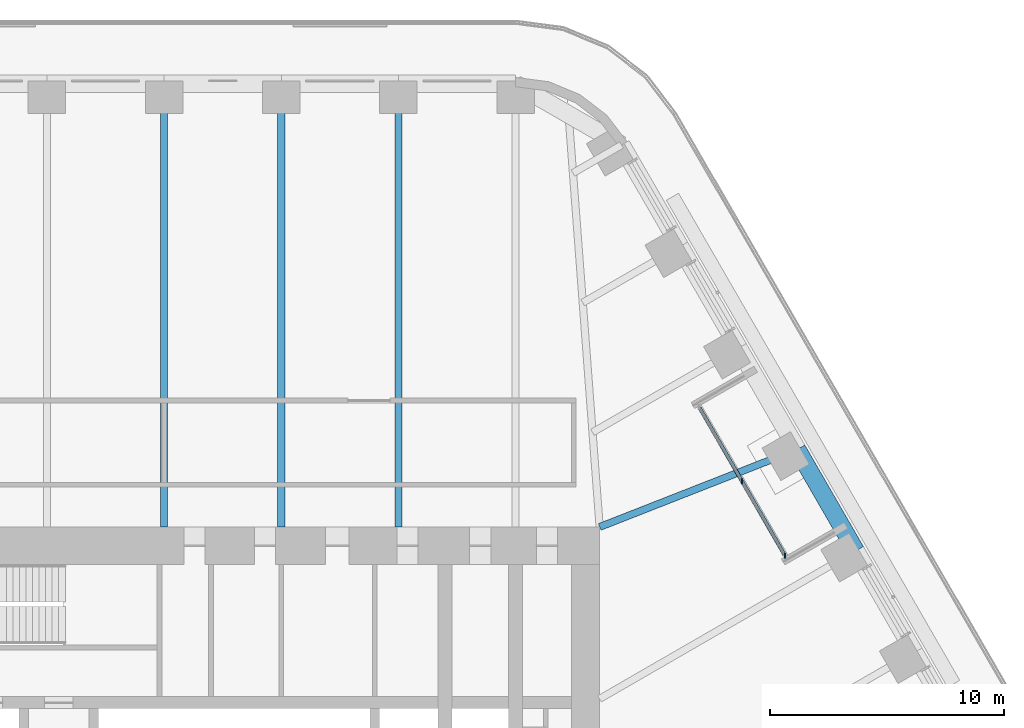
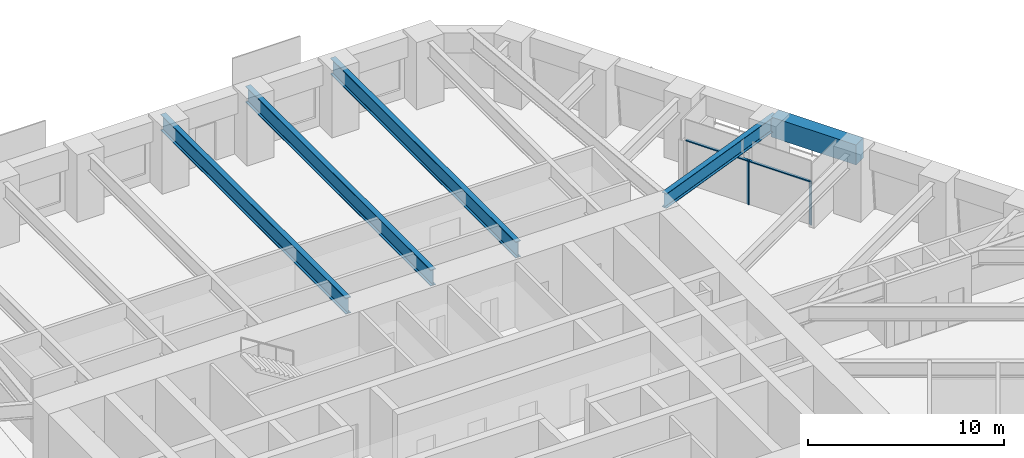
# One storey, part 11 of 24: 5 beams, 3 members, 1 element without a shape of its own.
"""IFC4 building model written with IfcOpenShell, lengths in metres."""

from ifc_helpers import new_model, si_unit, direction, frame, origin, origin_2d, place, context, subcontext, project, spatial, rectangle, i_section, extrude, material, material_profile, profile_set, type_object, element, aggregate, save


model = new_model("IFC4")

# Units and contexts
model_context = context("Model", 3, precision=1e-05, world=origin(), true_north=direction((0.0, 1.0)))
body_context = subcontext(model_context, "Body", "Model", "MODEL_VIEW")
ifc_project = project(units=[si_unit("LENGTHUNIT", "METRE"), si_unit("AREAUNIT", "SQUARE_METRE"), si_unit("VOLUMEUNIT", "CUBIC_METRE"), si_unit("PLANEANGLEUNIT", "RADIAN"), si_unit("MASSUNIT", "GRAM", prefix="KILO")], contexts=[model_context])

# Site, building, storey
site_placement = place(None, origin())
site = spatial("IfcSite", under=ifc_project, at=site_placement, CompositionType="ELEMENT")
building_placement = place(site_placement, origin())
building = spatial("IfcBuilding", under=site, at=building_placement, Name="Tarfa Lantern Tower", CompositionType="ELEMENT")
storey_placement = place(building_placement, frame((0.0, 0.0, 165.699951171875)))
storey = spatial("IfcBuildingStorey", under=building, at=storey_placement, Name="L37", CompositionType="ELEMENT", Elevation=165.699951171875)

# Curtain wall, members
ifc_material_1 = material(Name="Aluminium framed curtain wall", Category="aluminium")
curtain_wall_type = type_object("IfcCurtainWallType", Name="CW10 LOGGIA GLAZING 2750", PredefinedType="USERDEFINED", material=ifc_material_1)
curtain_wall_placement = place(storey_placement, origin())
curtain_wall = element("IfcCurtainWall", 1, at=curtain_wall_placement, inside=storey, type_object=curtain_wall_type, Name="CW10 NEL L37", ObjectType="CURTAIN WALL", PredefinedType="USERDEFINED")
ifc_material_2 = material(Name="Aluminium mullion", Category="aluminium")
ifc_material_profile_1 = material_profile(ifc_material_2, rectangle(XDim=0.06494140625, YDim=0.199951171875, at=origin_2d()), Name="AL MULLION 65x200")
ifc_profile_set_1 = profile_set([ifc_material_profile_1], Name="Aluminium mullion")
member_type_1 = type_object("IfcMemberType", Name="CWM1 MULLION 65x200", PredefinedType="MULLION", material=ifc_profile_set_1)
member_1_placement = place(storey_placement, frame((26.517333984375, 11.070556640625, 0.0), z_axis=(0.0, 0.0, 1.0), x_axis=(1.0, 0.0, 0.0)))
member_1 = element("IfcMember", 2, at=member_1_placement, type_object=member_type_1, Name="CW10 mullion 1", PredefinedType="MULLION", context=body_context, shape_type="SweptSolid", body=[
    extrude(rectangle(XDim=0.06494140625, YDim=0.199951171875, at=origin_2d()), origin(), (0.0, 0.0, 1.0), 2.75),
])
member_2_placement = place(storey_placement, frame((24.681640625, 14.25, 0.0), z_axis=(0.0, 0.0, 1.0), x_axis=(1.0, 0.0, 0.0)))
member_2 = element("IfcMember", 3, at=member_2_placement, type_object=member_type_1, Name="CW10 mullion 2", PredefinedType="MULLION", context=body_context, shape_type="SweptSolid", body=[
    extrude(rectangle(XDim=0.06494140625, YDim=0.199951171875, at=origin_2d()), origin(), (0.0, 0.0, 1.0), 2.75),
])
ifc_material_3 = material(Name="Aluminium transom", Category="aluminium")
ifc_material_profile_2 = material_profile(ifc_material_3, rectangle(XDim=0.14990234375, YDim=0.06494140625, at=origin_2d()), Name="AL TRANSOM 150x65")
ifc_profile_set_2 = profile_set([ifc_material_profile_2], Name="Aluminium transom")
member_type_2 = type_object("IfcMemberType", Name="CWT1 TRANSOM 150x65", PredefinedType="USERDEFINED", material=ifc_profile_set_2)
member_3_placement = place(storey_placement, frame((26.5009765625, 11.098876953125, 2.717529296875), z_axis=(-0.500007048974, 0.866021334019, 0.0), x_axis=(-0.866021334019, -0.500007048974, 0.0)))
member_3 = element("IfcMember", 4, at=member_3_placement, type_object=member_type_2, Name="CW10 transom 1.2", ObjectType="TRANSOM", PredefinedType="USERDEFINED", context=body_context, shape_type="SweptSolid", body=[
    extrude(rectangle(XDim=0.14990234375, YDim=0.06494140625, at=origin_2d()), origin(), (0.0, 0.0, 1.0), 7.27734375),
])
aggregate(curtain_wall, [member_1, member_2, member_3])

# Beams
ifc_material_4 = material(Name="Concrete C80/95", Category="concrete")
ifc_material_profile_3 = material_profile(ifc_material_4, rectangle(XDim=0.75, YDim=1.25, at=origin_2d()), Name="RC 750x1250")
ifc_profile_set_3 = profile_set([ifc_material_profile_3], Name="Concrete C80/95")
beam_type_1 = type_object("IfcBeamType", Name="EB2 RC 750x1250", PredefinedType="SPANDREL", material=ifc_profile_set_3)
beam_1_placement = place(storey_placement, frame((29.5390625, 11.276611328125, 3.375), z_axis=(-0.499964603504, 0.866045838996, 0.0), x_axis=(-0.866045838996, -0.499964603504, 0.0)))
element("IfcBeam", 5, at=beam_1_placement, inside=storey, type_object=beam_type_1, Name="Edge beam NE2", PredefinedType="SPANDREL", context=body_context, shape_type="SweptSolid", body=[
    extrude(rectangle(XDim=0.75, YDim=1.25, at=origin_2d()), origin(), (0.0, 0.0, 1.0), 5.003662109375),
])
ifc_material_5 = material(Name="Steel S460M", Category="steel")
ifc_material_profile_4 = material_profile(ifc_material_5, i_section(OverallWidth=0.302001953125, OverallDepth=1.008056640625, WebThickness=0.02099609375, FlangeThickness=0.0400390625, FilletRadius=0.030029296875, at=origin_2d()), Name="UB1016x305x349")
ifc_profile_set_4 = profile_set([ifc_material_profile_4], Name="Steel S460M")
beam_type_2 = type_object("IfcBeamType", Name="UB1016x305x349", PredefinedType="BEAM", material=ifc_profile_set_4)
for number, where, z_axis, x_axis, name in (
    (6, (10.00732421875, 31.219970703125, 3.49609375), (0.0, -1.0, 0.0), (1.0, 0.0, 0.0), "Floor beam N1"),
    (7, (5.003662109375, 31.219970703125, 3.49609375), (0.0, -1.0, 0.0), (1.0, 0.0, 0.0), "Floor beam N2"),
    (8, (0.0, 31.219970703125, 3.49609375), (0.0, -1.0, 0.0), (1.0, 0.0, 0.0), "Floor beam N3"),
):
    element("IfcBeam", number, at=place(storey_placement, frame(where, z_axis=z_axis, x_axis=x_axis)), inside=storey, type_object=beam_type_2, Name=name, PredefinedType="BEAM", context=body_context, shape_type="SweptSolid", body=[
        extrude(i_section(OverallWidth=0.302001953125, OverallDepth=1.008056640625, WebThickness=0.02099609375, FlangeThickness=0.0400390625, FilletRadius=0.030029296875, at=origin_2d()), origin(), (0.0, 0.0, 1.0), 18.919921875),
    ])
ifc_material_profile_5 = material_profile(ifc_material_5, i_section(OverallWidth=0.305419921875, OverallDepth=0.91845703125, WebThickness=0.017333984375, FlangeThickness=0.02783203125, FilletRadius=0.01904296875, at=origin_2d()), Name="UB914x305x253")
ifc_profile_set_5 = profile_set([ifc_material_profile_5], Name="Steel S460M")
beam_type_3 = type_object("IfcBeamType", Name="UB914x305x253", PredefinedType="BEAM", material=ifc_profile_set_5)
beam_2_placement = place(storey_placement, frame((27.037353515625, 15.610107421875, 3.540771484375), z_axis=(-0.930923282782, -0.365214788274, 0.0), x_axis=(0.365214788274, -0.930923282782, 0.0)))
element("IfcBeam", 9, at=beam_2_placement, inside=storey, type_object=beam_type_3, Name="Floor beam NE3", PredefinedType="BEAM", context=body_context, shape_type="SweptSolid", body=[
    extrude(i_section(OverallWidth=0.305419921875, OverallDepth=0.91845703125, WebThickness=0.017333984375, FlangeThickness=0.02783203125, FilletRadius=0.01904296875, at=origin_2d()), origin(), (0.0, 0.0, 1.0), 9.063232421875),
])

save(model, "model.ifc")
